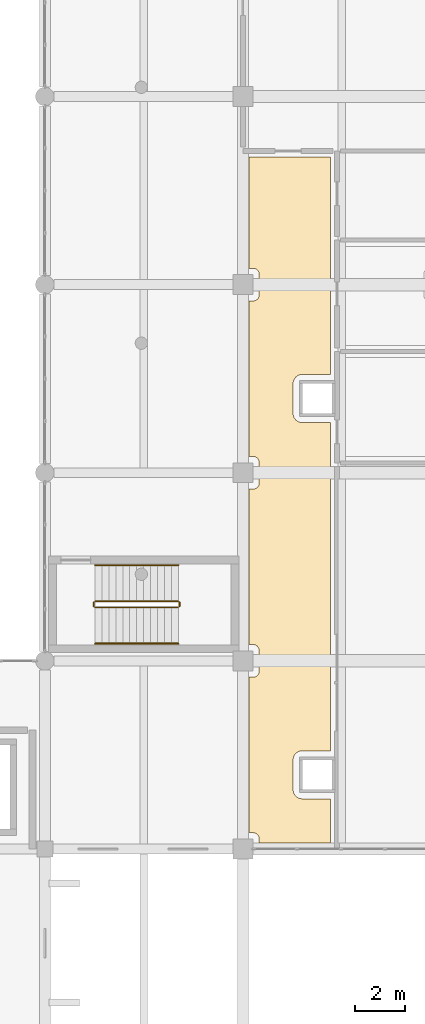
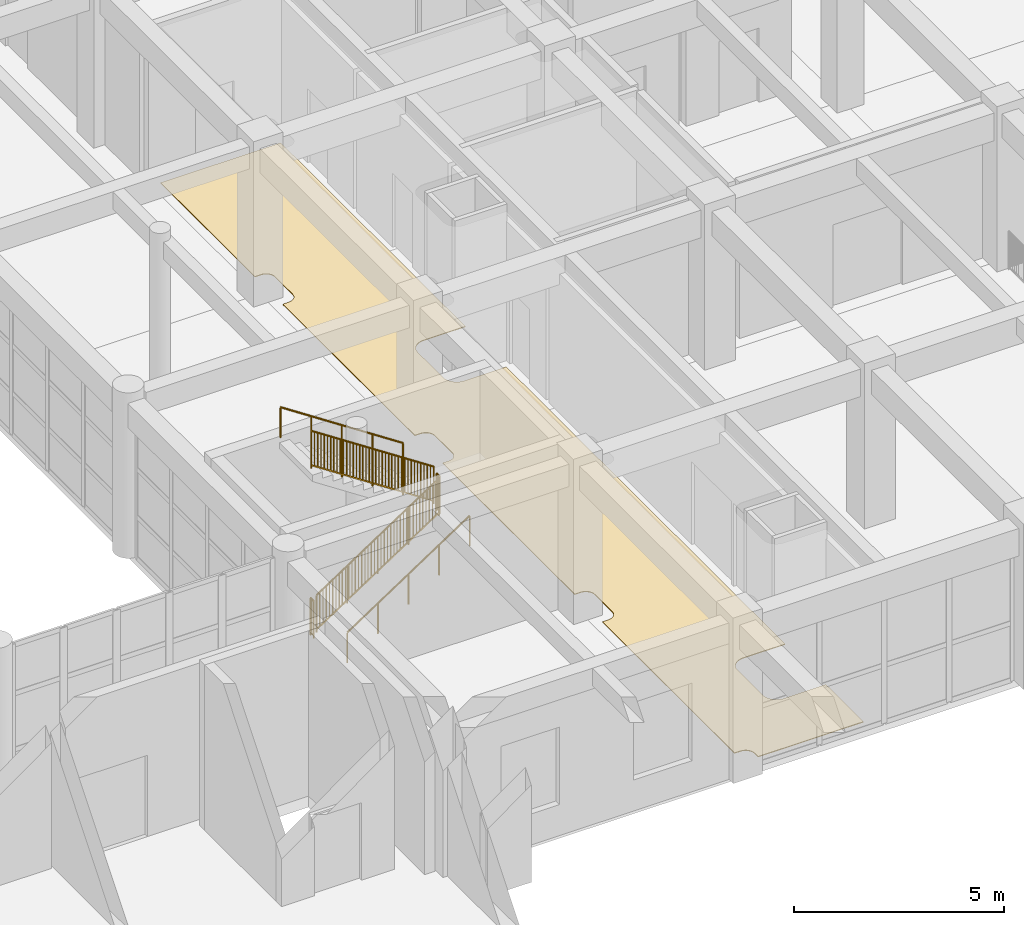
# One storey, part 89 of 101: 6 railings, 1 covering.
"""IFC4 building model written with IfcOpenShell, lengths in metres."""

from ifc_helpers import new_model, si_unit, direction, frame, origin, origin_2d, place, context, subcontext, project, spatial, polyline, rectangle, circle, outline, extrude, material, layer, layer_set, type_object, element, save


model = new_model("IFC4")

# Units and contexts
model_context = context("Model", 3, precision=1e-05, world=origin(), true_north=direction((0.0, 1.0)))
body_context = subcontext(model_context, "Body", "Model", "MODEL_VIEW")
ifc_project = project(units=[si_unit("LENGTHUNIT", "METRE"), si_unit("AREAUNIT", "SQUARE_METRE"), si_unit("VOLUMEUNIT", "CUBIC_METRE"), si_unit("PLANEANGLEUNIT", "RADIAN"), si_unit("MASSUNIT", "GRAM", prefix="KILO")], contexts=[model_context])

# Site, building, storey
site_placement = place(None, origin())
site = spatial("IfcSite", under=ifc_project, at=site_placement, CompositionType="ELEMENT")
building_placement = place(site_placement, origin())
building = spatial("IfcBuilding", under=site, at=building_placement, Name="Zantavel Square City Hall", CompositionType="ELEMENT")
storey_placement = place(building_placement, frame((0.0, 0.0, 5.39990234375)))
storey = spatial("IfcBuildingStorey", under=building, at=storey_placement, Name="L02", CompositionType="ELEMENT", Elevation=5.39990234375)

# Railings
ifc_material_1 = material(Name="Steel ASTM A500 Grade B", Category="steel")
railing_type_1 = type_object("IfcRailingType", Name="Atrium & Gallery Steel Guard Railing 1100mm", PredefinedType="GUARDRAIL", material=ifc_material_1)
railing_1_placement = place(storey_placement, frame((50.030029296875, 40.159912109375, 0.184814453125)))
element("IfcRailing", 1, at=railing_1_placement, inside=storey, type_object=railing_type_1, Name="L02 ST3 stair guard 1", PredefinedType="GUARDRAIL", context=body_context, shape_type="SweptSolid", body=[
    extrude(circle(Radius=0.02392578125, at=origin_2d()), frame((0.0, 0.0, 1.076171875), z_axis=(0.834858096282, 0.0, 0.550465220583), x_axis=(0.0, 1.0, 0.0)), (0.0, 0.0, 1.0), 4.0244140625),
    extrude(rectangle(XDim=0.031982421875, YDim=0.031982421875, at=origin_2d()), frame((0.0, 0.0, 0.080078125), z_axis=(0.834858096282, 0.0, 0.550465220583), x_axis=(0.0, 1.0, 0.0)), (0.0, 0.0, 1.0), 4.0244140625),
    extrude(rectangle(XDim=0.02197265625, YDim=0.02197265625, at=origin_2d()), frame((0.08837890625, 0.0, 0.13818359375)), (0.0, 0.0, 1.0), 0.971923828125),
    extrude(rectangle(XDim=0.02197265625, YDim=0.02197265625, at=origin_2d()), frame((0.1767578125, 0.0, 0.196533203125)), (0.0, 0.0, 1.0), 0.971923828125),
    extrude(rectangle(XDim=0.02197265625, YDim=0.02197265625, at=origin_2d()), frame((0.26513671875, 0.0, 0.2548828125)), (0.0, 0.0, 1.0), 0.971923828125),
    extrude(rectangle(XDim=0.02197265625, YDim=0.02197265625, at=origin_2d()), frame((0.353759765625, 0.0, 0.313232421875)), (0.0, 0.0, 1.0), 0.971923828125),
    extrude(rectangle(XDim=0.02197265625, YDim=0.02197265625, at=origin_2d()), frame((0.442138671875, 0.0, 0.37158203125)), (0.0, 0.0, 1.0), 0.971923828125),
    extrude(rectangle(XDim=0.02197265625, YDim=0.02197265625, at=origin_2d()), frame((0.530517578125, 0.0, 0.4296875)), (0.0, 0.0, 1.0), 0.971923828125),
    extrude(rectangle(XDim=0.02197265625, YDim=0.02197265625, at=origin_2d()), frame((0.618896484375, 0.0, 0.488037109375)), (0.0, 0.0, 1.0), 0.971923828125),
    extrude(rectangle(XDim=0.02197265625, YDim=0.02197265625, at=origin_2d()), frame((0.707275390625, 0.0, 0.54638671875)), (0.0, 0.0, 1.0), 0.971923828125),
    extrude(rectangle(XDim=0.02197265625, YDim=0.02197265625, at=origin_2d()), frame((0.795654296875, 0.0, 0.604736328125)), (0.0, 0.0, 1.0), 0.971923828125),
    extrude(rectangle(XDim=0.02197265625, YDim=0.02197265625, at=origin_2d()), frame((0.88427734375, 0.0, 0.6630859375)), (0.0, 0.0, 1.0), 0.971923828125),
    extrude(rectangle(XDim=0.02197265625, YDim=0.02197265625, at=origin_2d()), frame((0.97265625, 0.0, 0.72119140625)), (0.0, 0.0, 1.0), 0.971923828125),
    extrude(rectangle(XDim=0.02197265625, YDim=0.02197265625, at=origin_2d()), frame((1.06103515625, 0.0, 0.779541015625)), (0.0, 0.0, 1.0), 0.971923828125),
    extrude(rectangle(XDim=0.02197265625, YDim=0.02197265625, at=origin_2d()), frame((1.1494140625, 0.0, 0.837890625)), (0.0, 0.0, 1.0), 0.971923828125),
    extrude(rectangle(XDim=0.02197265625, YDim=0.02197265625, at=origin_2d()), frame((1.23779296875, 0.0, 0.896240234375)), (0.0, 0.0, 1.0), 0.971923828125),
    extrude(rectangle(XDim=0.02197265625, YDim=0.02197265625, at=origin_2d()), frame((1.326171875, 0.0, 0.95458984375)), (0.0, 0.0, 1.0), 0.971923828125),
    extrude(rectangle(XDim=0.02197265625, YDim=0.02197265625, at=origin_2d()), frame((1.414794921875, 0.0, 1.0126953125)), (0.0, 0.0, 1.0), 0.971923828125),
    extrude(rectangle(XDim=0.02197265625, YDim=0.02197265625, at=origin_2d()), frame((1.503173828125, 0.0, 1.071044921875)), (0.0, 0.0, 1.0), 0.971923828125),
    extrude(rectangle(XDim=0.02197265625, YDim=0.02197265625, at=origin_2d()), frame((1.591552734375, 0.0, 1.12939453125)), (0.0, 0.0, 1.0), 0.971923828125),
    extrude(rectangle(XDim=0.02197265625, YDim=0.02197265625, at=origin_2d()), frame((1.768310546875, 0.0, 1.245849609375)), (0.0, 0.0, 1.0), 0.971923828125),
    extrude(rectangle(XDim=0.02197265625, YDim=0.02197265625, at=origin_2d()), frame((1.856689453125, 0.0, 1.30419921875)), (0.0, 0.0, 1.0), 0.971923828125),
    extrude(rectangle(XDim=0.02197265625, YDim=0.02197265625, at=origin_2d()), frame((1.945068359375, 0.0, 1.362548828125)), (0.0, 0.0, 1.0), 0.971923828125),
    extrude(rectangle(XDim=0.02197265625, YDim=0.02197265625, at=origin_2d()), frame((2.03369140625, 0.0, 1.4208984375)), (0.0, 0.0, 1.0), 0.971923828125),
    extrude(rectangle(XDim=0.02197265625, YDim=0.02197265625, at=origin_2d()), frame((2.1220703125, 0.0, 1.479248046875)), (0.0, 0.0, 1.0), 0.971923828125),
    extrude(rectangle(XDim=0.02197265625, YDim=0.02197265625, at=origin_2d()), frame((2.21044921875, 0.0, 1.537353515625)), (0.0, 0.0, 1.0), 0.971923828125),
    extrude(rectangle(XDim=0.02197265625, YDim=0.02197265625, at=origin_2d()), frame((2.298828125, 0.0, 1.595703125)), (0.0, 0.0, 1.0), 0.971923828125),
    extrude(rectangle(XDim=0.02197265625, YDim=0.02197265625, at=origin_2d()), frame((2.38720703125, 0.0, 1.654052734375)), (0.0, 0.0, 1.0), 0.971923828125),
    extrude(rectangle(XDim=0.02197265625, YDim=0.02197265625, at=origin_2d()), frame((2.4755859375, 0.0, 1.71240234375)), (0.0, 0.0, 1.0), 0.971923828125),
    extrude(rectangle(XDim=0.02197265625, YDim=0.02197265625, at=origin_2d()), frame((2.564208984375, 0.0, 1.770751953125)), (0.0, 0.0, 1.0), 0.971923828125),
    extrude(rectangle(XDim=0.02197265625, YDim=0.02197265625, at=origin_2d()), frame((2.652587890625, 0.0, 1.828857421875)), (0.0, 0.0, 1.0), 0.971923828125),
    extrude(rectangle(XDim=0.02197265625, YDim=0.02197265625, at=origin_2d()), frame((2.740966796875, 0.0, 1.88720703125)), (0.0, 0.0, 1.0), 0.971923828125),
    extrude(rectangle(XDim=0.02197265625, YDim=0.02197265625, at=origin_2d()), frame((2.829345703125, 0.0, 1.945556640625)), (0.0, 0.0, 1.0), 0.971923828125),
    extrude(rectangle(XDim=0.02197265625, YDim=0.02197265625, at=origin_2d()), frame((2.917724609375, 0.0, 2.00390625)), (0.0, 0.0, 1.0), 0.971923828125),
    extrude(rectangle(XDim=0.02197265625, YDim=0.02197265625, at=origin_2d()), frame((3.006103515625, 0.0, 2.062255859375)), (0.0, 0.0, 1.0), 0.971923828125),
    extrude(rectangle(XDim=0.02197265625, YDim=0.02197265625, at=origin_2d()), frame((3.0947265625, 0.0, 2.120361328125)), (0.0, 0.0, 1.0), 0.971923828125),
    extrude(rectangle(XDim=0.02197265625, YDim=0.02197265625, at=origin_2d()), frame((3.18310546875, 0.0, 2.1787109375)), (0.0, 0.0, 1.0), 0.971923828125),
    extrude(rectangle(XDim=0.02197265625, YDim=0.02197265625, at=origin_2d()), frame((3.271484375, 0.0, 2.237060546875)), (0.0, 0.0, 1.0), 0.971923828125),
    extrude(circle(Radius=0.02099609375, at=origin_2d()), origin(), (0.0, 0.0, 1.0), 1.052001953125),
    extrude(circle(Radius=0.02099609375, at=origin_2d()), frame((0.83984375, 0.0, 0.5537109375)), (0.0, 0.0, 1.0), 1.052001953125),
    extrude(circle(Radius=0.02099609375, at=origin_2d()), frame((1.679931640625, 0.0, 1.107666015625)), (0.0, 0.0, 1.0), 1.052001953125),
    extrude(circle(Radius=0.02099609375, at=origin_2d()), frame((2.52001953125, 0.0, 1.66162109375)), (0.0, 0.0, 1.0), 1.052001953125),
    extrude(circle(Radius=0.02099609375, at=origin_2d()), frame((3.35986328125, 0.0, 2.21533203125)), (0.0, 0.0, 1.0), 1.052001953125),
])
railing_2_placement = place(storey_placement, frame((53.43994140625, 40.2099609375, 2.400146484375)))
element("IfcRailing", 2, at=railing_2_placement, inside=storey, type_object=railing_type_1, Name="L02 ST3 stair guard 2", PredefinedType="GUARDRAIL", context=body_context, shape_type="SweptSolid", body=[
    extrude(circle(Radius=0.02392578125, at=origin_2d()), frame((0.0, 0.0, 1.076171875), z_axis=(0.0, 1.0, 0.0), x_axis=(-1.0, 0.0, 0.0)), (0.0, 0.0, 1.0), 0.150146484375),
    extrude(rectangle(XDim=0.031982421875, YDim=0.031982421875, at=origin_2d()), frame((0.0, 0.0, 0.080078125), z_axis=(0.0, 1.0, 0.0), x_axis=(-1.0, 0.0, 0.0)), (0.0, 0.0, 1.0), 0.150146484375),
    extrude(rectangle(XDim=0.02197265625, YDim=0.02197265625, at=origin_2d()), frame((0.0, 0.0751953125, 0.080078125)), (0.0, 0.0, 1.0), 0.971923828125),
    extrude(circle(Radius=0.02099609375, at=origin_2d()), origin(), (0.0, 0.0, 1.0), 1.052001953125),
    extrude(circle(Radius=0.02099609375, at=origin_2d()), frame((0.0, 0.150146484375, 0.0)), (0.0, 0.0, 1.0), 1.052001953125),
])
railing_3_placement = place(storey_placement, frame((53.389892578125, 40.409912109375, 2.584716796875)))
element("IfcRailing", 3, at=railing_3_placement, inside=storey, type_object=railing_type_1, Name="L02 ST3 stair guard 3", PredefinedType="GUARDRAIL", context=body_context, shape_type="SweptSolid", body=[
    extrude(circle(Radius=0.02392578125, at=origin_2d()), frame((0.0, 0.0, 1.076171875), z_axis=(-0.834858096282, 0.0, 0.550465220583), x_axis=(0.0, -1.0, 0.0)), (0.0, 0.0, 1.0), 4.0244140625),
    extrude(rectangle(XDim=0.031982421875, YDim=0.031982421875, at=origin_2d()), frame((0.0, 0.0, 0.080078125), z_axis=(-0.834858096282, 0.0, 0.550465220583), x_axis=(0.0, -1.0, 0.0)), (0.0, 0.0, 1.0), 4.0244140625),
    extrude(rectangle(XDim=0.02197265625, YDim=0.02197265625, at=origin_2d()), frame((-0.08837890625, 0.0, 0.13818359375)), (0.0, 0.0, 1.0), 0.971923828125),
    extrude(rectangle(XDim=0.02197265625, YDim=0.02197265625, at=origin_2d()), frame((-0.1767578125, 0.0, 0.196533203125)), (0.0, 0.0, 1.0), 0.971923828125),
    extrude(rectangle(XDim=0.02197265625, YDim=0.02197265625, at=origin_2d()), frame((-0.26513671875, 0.0, 0.2548828125)), (0.0, 0.0, 1.0), 0.971923828125),
    extrude(rectangle(XDim=0.02197265625, YDim=0.02197265625, at=origin_2d()), frame((-0.353759765625, 0.0, 0.313232421875)), (0.0, 0.0, 1.0), 0.971923828125),
    extrude(rectangle(XDim=0.02197265625, YDim=0.02197265625, at=origin_2d()), frame((-0.442138671875, 0.0, 0.37158203125)), (0.0, 0.0, 1.0), 0.971923828125),
    extrude(rectangle(XDim=0.02197265625, YDim=0.02197265625, at=origin_2d()), frame((-0.530517578125, 0.0, 0.4296875)), (0.0, 0.0, 1.0), 0.971923828125),
    extrude(rectangle(XDim=0.02197265625, YDim=0.02197265625, at=origin_2d()), frame((-0.618896484375, 0.0, 0.488037109375)), (0.0, 0.0, 1.0), 0.971923828125),
    extrude(rectangle(XDim=0.02197265625, YDim=0.02197265625, at=origin_2d()), frame((-0.707275390625, 0.0, 0.54638671875)), (0.0, 0.0, 1.0), 0.971923828125),
    extrude(rectangle(XDim=0.02197265625, YDim=0.02197265625, at=origin_2d()), frame((-0.795654296875, 0.0, 0.604736328125)), (0.0, 0.0, 1.0), 0.971923828125),
    extrude(rectangle(XDim=0.02197265625, YDim=0.02197265625, at=origin_2d()), frame((-0.88427734375, 0.0, 0.6630859375)), (0.0, 0.0, 1.0), 0.971923828125),
    extrude(rectangle(XDim=0.02197265625, YDim=0.02197265625, at=origin_2d()), frame((-0.97265625, 0.0, 0.72119140625)), (0.0, 0.0, 1.0), 0.971923828125),
    extrude(rectangle(XDim=0.02197265625, YDim=0.02197265625, at=origin_2d()), frame((-1.06103515625, 0.0, 0.779541015625)), (0.0, 0.0, 1.0), 0.971923828125),
    extrude(rectangle(XDim=0.02197265625, YDim=0.02197265625, at=origin_2d()), frame((-1.1494140625, 0.0, 0.837890625)), (0.0, 0.0, 1.0), 0.971923828125),
    extrude(rectangle(XDim=0.02197265625, YDim=0.02197265625, at=origin_2d()), frame((-1.23779296875, 0.0, 0.896240234375)), (0.0, 0.0, 1.0), 0.971923828125),
    extrude(rectangle(XDim=0.02197265625, YDim=0.02197265625, at=origin_2d()), frame((-1.326171875, 0.0, 0.95458984375)), (0.0, 0.0, 1.0), 0.971923828125),
    extrude(rectangle(XDim=0.02197265625, YDim=0.02197265625, at=origin_2d()), frame((-1.414794921875, 0.0, 1.0126953125)), (0.0, 0.0, 1.0), 0.971923828125),
    extrude(rectangle(XDim=0.02197265625, YDim=0.02197265625, at=origin_2d()), frame((-1.503173828125, 0.0, 1.071044921875)), (0.0, 0.0, 1.0), 0.971923828125),
    extrude(rectangle(XDim=0.02197265625, YDim=0.02197265625, at=origin_2d()), frame((-1.591552734375, 0.0, 1.12939453125)), (0.0, 0.0, 1.0), 0.971923828125),
    extrude(rectangle(XDim=0.02197265625, YDim=0.02197265625, at=origin_2d()), frame((-1.768310546875, 0.0, 1.245849609375)), (0.0, 0.0, 1.0), 0.971923828125),
    extrude(rectangle(XDim=0.02197265625, YDim=0.02197265625, at=origin_2d()), frame((-1.856689453125, 0.0, 1.30419921875)), (0.0, 0.0, 1.0), 0.971923828125),
    extrude(rectangle(XDim=0.02197265625, YDim=0.02197265625, at=origin_2d()), frame((-1.945068359375, 0.0, 1.362548828125)), (0.0, 0.0, 1.0), 0.971923828125),
    extrude(rectangle(XDim=0.02197265625, YDim=0.02197265625, at=origin_2d()), frame((-2.03369140625, 0.0, 1.4208984375)), (0.0, 0.0, 1.0), 0.971923828125),
    extrude(rectangle(XDim=0.02197265625, YDim=0.02197265625, at=origin_2d()), frame((-2.1220703125, 0.0, 1.479248046875)), (0.0, 0.0, 1.0), 0.971923828125),
    extrude(rectangle(XDim=0.02197265625, YDim=0.02197265625, at=origin_2d()), frame((-2.21044921875, 0.0, 1.537353515625)), (0.0, 0.0, 1.0), 0.971923828125),
    extrude(rectangle(XDim=0.02197265625, YDim=0.02197265625, at=origin_2d()), frame((-2.298828125, 0.0, 1.595703125)), (0.0, 0.0, 1.0), 0.971923828125),
    extrude(rectangle(XDim=0.02197265625, YDim=0.02197265625, at=origin_2d()), frame((-2.38720703125, 0.0, 1.654052734375)), (0.0, 0.0, 1.0), 0.971923828125),
    extrude(rectangle(XDim=0.02197265625, YDim=0.02197265625, at=origin_2d()), frame((-2.4755859375, 0.0, 1.71240234375)), (0.0, 0.0, 1.0), 0.971923828125),
    extrude(rectangle(XDim=0.02197265625, YDim=0.02197265625, at=origin_2d()), frame((-2.564208984375, 0.0, 1.770751953125)), (0.0, 0.0, 1.0), 0.971923828125),
    extrude(rectangle(XDim=0.02197265625, YDim=0.02197265625, at=origin_2d()), frame((-2.652587890625, 0.0, 1.828857421875)), (0.0, 0.0, 1.0), 0.971923828125),
    extrude(rectangle(XDim=0.02197265625, YDim=0.02197265625, at=origin_2d()), frame((-2.740966796875, 0.0, 1.88720703125)), (0.0, 0.0, 1.0), 0.971923828125),
    extrude(rectangle(XDim=0.02197265625, YDim=0.02197265625, at=origin_2d()), frame((-2.829345703125, 0.0, 1.945556640625)), (0.0, 0.0, 1.0), 0.971923828125),
    extrude(rectangle(XDim=0.02197265625, YDim=0.02197265625, at=origin_2d()), frame((-2.917724609375, 0.0, 2.00390625)), (0.0, 0.0, 1.0), 0.971923828125),
    extrude(rectangle(XDim=0.02197265625, YDim=0.02197265625, at=origin_2d()), frame((-3.006103515625, 0.0, 2.062255859375)), (0.0, 0.0, 1.0), 0.971923828125),
    extrude(rectangle(XDim=0.02197265625, YDim=0.02197265625, at=origin_2d()), frame((-3.0947265625, 0.0, 2.120361328125)), (0.0, 0.0, 1.0), 0.971923828125),
    extrude(rectangle(XDim=0.02197265625, YDim=0.02197265625, at=origin_2d()), frame((-3.18310546875, 0.0, 2.1787109375)), (0.0, 0.0, 1.0), 0.971923828125),
    extrude(rectangle(XDim=0.02197265625, YDim=0.02197265625, at=origin_2d()), frame((-3.271484375, 0.0, 2.237060546875)), (0.0, 0.0, 1.0), 0.971923828125),
    extrude(circle(Radius=0.02099609375, at=origin_2d()), origin(), (0.0, 0.0, 1.0), 1.052001953125),
    extrude(circle(Radius=0.02099609375, at=origin_2d()), frame((-0.83984375, 0.0, 0.5537109375)), (0.0, 0.0, 1.0), 1.052001953125),
    extrude(circle(Radius=0.02099609375, at=origin_2d()), frame((-1.679931640625, 0.0, 1.107666015625)), (0.0, 0.0, 1.0), 1.052001953125),
    extrude(circle(Radius=0.02099609375, at=origin_2d()), frame((-2.52001953125, 0.0, 1.66162109375)), (0.0, 0.0, 1.0), 1.052001953125),
    extrude(circle(Radius=0.02099609375, at=origin_2d()), frame((-3.35986328125, 0.0, 2.21533203125)), (0.0, 0.0, 1.0), 1.052001953125),
])
railing_4_placement = place(storey_placement, frame((49.97998046875, 40.2099609375, 0.0)))
element("IfcRailing", 4, at=railing_4_placement, inside=storey, type_object=railing_type_1, Name="L02 ST3 stair guard 4", PredefinedType="GUARDRAIL", context=body_context, shape_type="SweptSolid", body=[
    extrude(circle(Radius=0.02392578125, at=origin_2d()), frame((0.0, 0.0, 1.076171875), z_axis=(0.0, 1.0, 0.0), x_axis=(-1.0, 0.0, 0.0)), (0.0, 0.0, 1.0), 0.150146484375),
    extrude(rectangle(XDim=0.031982421875, YDim=0.031982421875, at=origin_2d()), frame((0.0, 0.0, 0.080078125), z_axis=(0.0, 1.0, 0.0), x_axis=(-1.0, 0.0, 0.0)), (0.0, 0.0, 1.0), 0.150146484375),
    extrude(rectangle(XDim=0.02197265625, YDim=0.02197265625, at=origin_2d()), frame((0.0, 0.0751953125, 0.080078125)), (0.0, 0.0, 1.0), 0.971923828125),
    extrude(circle(Radius=0.02099609375, at=origin_2d()), origin(), (0.0, 0.0, 1.0), 1.052001953125),
    extrude(circle(Radius=0.02099609375, at=origin_2d()), frame((0.0, 0.150146484375, 0.0)), (0.0, 0.0, 1.0), 1.052001953125),
])

# Covering
ifc_material_2 = material(Name="Terrazzo stone finish", Category="masonry")
ifc_layer = layer(ifc_material_2, 0.02001953125, Name="Terrazzo stone finish")
ifc_layer_set = layer_set([ifc_layer], Name="Terrazzo stone finish")
covering_type = type_object("IfcCoveringType", Name="Honed Cantera-Terrazzo Civic Flooring 20mm", PredefinedType="FLOORING", material=ifc_layer_set)
covering_placement = place(storey_placement, origin())
element("IfcCovering", 5, at=covering_placement, inside=storey, type_object=covering_type, Name="L02 L02 South-West Gallery Bypass Corridor Terrazzo Flooring", PredefinedType="FLOORING", context=body_context, shape_type="SweptSolid", body=[
    extrude(outline(polyline([(56.65869140625, 30.83447265625), (56.6552734375, 30.85888671875), (56.649169921875, 30.882568359375), (56.64111328125, 30.90576171875), (56.630615234375, 30.927734375), (56.617919921875, 30.948974609375), (56.603271484375, 30.968505859375), (56.5869140625, 30.98681640625), (56.568603515625, 31.00341796875), (56.548828125, 31.017822265625), (56.52783203125, 31.030517578125), (56.505615234375, 31.041015625), (56.482666015625, 31.04931640625), (56.458740234375, 31.05517578125), (56.4345703125, 31.058837890625), (56.409912109375, 31.06005859375), (56.25, 31.06005859375), (56.25, 37.340087890625), (56.409912109375, 37.340087890625), (56.4345703125, 37.34130859375), (56.458740234375, 37.3447265625), (56.482666015625, 37.350830078125), (56.505615234375, 37.35888671875), (56.52783203125, 37.369384765625), (56.548828125, 37.382080078125), (56.568603515625, 37.396728515625), (56.5869140625, 37.4130859375), (56.603271484375, 37.431396484375), (56.617919921875, 37.451171875), (56.630615234375, 37.47216796875), (56.64111328125, 37.494384765625), (56.649169921875, 37.517333984375), (56.6552734375, 37.541259765625), (56.65869140625, 37.5654296875), (56.659912109375, 37.590087890625), (56.659912109375, 38.409912109375), (56.65869140625, 38.4345703125), (56.6552734375, 38.458740234375), (56.649169921875, 38.482666015625), (56.64111328125, 38.505615234375), (56.630615234375, 38.52783203125), (56.617919921875, 38.548828125), (56.603271484375, 38.568603515625), (56.5869140625, 38.5869140625), (56.568603515625, 38.603271484375), (56.548828125, 38.617919921875), (56.52783203125, 38.630615234375), (56.505615234375, 38.64111328125), (56.482666015625, 38.649169921875), (56.458740234375, 38.6552734375), (56.4345703125, 38.65869140625), (56.409912109375, 38.659912109375), (56.25, 38.659912109375), (56.25, 44.93994140625), (56.409912109375, 44.93994140625), (56.4345703125, 44.941162109375), (56.458740234375, 44.94482421875), (56.482666015625, 44.95068359375), (56.505615234375, 44.958984375), (56.52783203125, 44.969482421875), (56.548828125, 44.982177734375), (56.568603515625, 44.99658203125), (56.5869140625, 45.01318359375), (56.603271484375, 45.031494140625), (56.617919921875, 45.051025390625), (56.630615234375, 45.072265625), (56.64111328125, 45.09423828125), (56.649169921875, 45.117431640625), (56.6552734375, 45.14111328125), (56.65869140625, 45.16552734375), (56.659912109375, 45.18994140625), (56.659912109375, 46.010009765625), (56.65869140625, 46.034423828125), (56.6552734375, 46.058837890625), (56.649169921875, 46.08251953125), (56.64111328125, 46.105712890625), (56.630615234375, 46.127685546875), (56.617919921875, 46.14892578125), (56.603271484375, 46.168701171875), (56.5869140625, 46.186767578125), (56.568603515625, 46.203369140625), (56.548828125, 46.218017578125), (56.52783203125, 46.23046875), (56.505615234375, 46.240966796875), (56.482666015625, 46.249267578125), (56.458740234375, 46.255126953125), (56.4345703125, 46.2587890625), (56.409912109375, 46.260009765625), (56.25, 46.260009765625), (56.25, 52.5400390625), (56.409912109375, 52.5400390625), (56.4345703125, 52.541259765625), (56.458740234375, 52.544921875), (56.482666015625, 52.55078125), (56.505615234375, 52.55908203125), (56.52783203125, 52.569580078125), (56.548828125, 52.58203125), (56.568603515625, 52.5966796875), (56.5869140625, 52.61328125), (56.603271484375, 52.63134765625), (56.617919921875, 52.651123046875), (56.630615234375, 52.672119140625), (56.64111328125, 52.6943359375), (56.649169921875, 52.71728515625), (56.6552734375, 52.7412109375), (56.65869140625, 52.765380859375), (56.659912109375, 52.7900390625), (56.659912109375, 53.610107421875), (56.65869140625, 53.634521484375), (56.6552734375, 53.65869140625), (56.649169921875, 53.6826171875), (56.64111328125, 53.705810546875), (56.630615234375, 53.727783203125), (56.617919921875, 53.748779296875), (56.603271484375, 53.7685546875), (56.5869140625, 53.786865234375), (56.568603515625, 53.80322265625), (56.548828125, 53.81787109375), (56.52783203125, 53.83056640625), (56.505615234375, 53.841064453125), (56.482666015625, 53.84912109375), (56.458740234375, 53.855224609375), (56.4345703125, 53.85888671875), (56.409912109375, 53.860107421875), (56.25, 53.860107421875), (56.25, 58.35009765625), (59.550048828125, 58.35009765625), (59.550048828125, 49.570068359375), (58.39990234375, 49.570068359375), (58.3876953125, 49.569580078125), (58.3759765625, 49.569091796875), (58.3515625, 49.566650390625), (58.33984375, 49.56494140625), (58.31591796875, 49.560302734375), (58.304443359375, 49.557373046875), (58.281005859375, 49.55029296875), (58.27001953125, 49.54638671875), (58.247314453125, 49.536865234375), (58.236572265625, 49.53173828125), (58.21484375, 49.520263671875), (58.204833984375, 49.51416015625), (58.184326171875, 49.50048828125), (58.1748046875, 49.49365234375), (58.156005859375, 49.47802734375), (58.147216796875, 49.47021484375), (58.1298828125, 49.45263671875), (58.1220703125, 49.444091796875), (58.1064453125, 49.425048828125), (58.099365234375, 49.41552734375), (58.085693359375, 49.395263671875), (58.07958984375, 49.385009765625), (58.068115234375, 49.363525390625), (58.06298828125, 49.352783203125), (58.0537109375, 49.330078125), (58.0498046875, 49.319091796875), (58.042724609375, 49.295654296875), (58.039794921875, 49.2841796875), (58.034912109375, 49.260009765625), (58.033203125, 49.248291015625), (58.031005859375, 49.22412109375), (58.0302734375, 49.21240234375), (58.030029296875, 49.199951171875), (58.030029296875, 48.0), (58.0302734375, 47.98779296875), (58.031005859375, 47.97607421875), (58.033203125, 47.95166015625), (58.034912109375, 47.93994140625), (58.039794921875, 47.915771484375), (58.042724609375, 47.904296875), (58.0498046875, 47.880859375), (58.0537109375, 47.869873046875), (58.06298828125, 47.84716796875), (58.068115234375, 47.83642578125), (58.07958984375, 47.81494140625), (58.085693359375, 47.8046875), (58.099365234375, 47.784423828125), (58.1064453125, 47.77490234375), (58.1220703125, 47.756103515625), (58.1298828125, 47.747314453125), (58.147216796875, 47.72998046875), (58.156005859375, 47.721923828125), (58.1748046875, 47.706298828125), (58.184326171875, 47.699462890625), (58.204833984375, 47.685791015625), (58.21484375, 47.6796875), (58.236572265625, 47.668212890625), (58.247314453125, 47.6630859375), (58.27001953125, 47.65380859375), (58.281005859375, 47.64990234375), (58.304443359375, 47.642578125), (58.31591796875, 47.639892578125), (58.33984375, 47.635009765625), (58.3515625, 47.63330078125), (58.3759765625, 47.630859375), (58.3876953125, 47.63037109375), (58.39990234375, 47.6298828125), (59.550048828125, 47.6298828125), (59.550048828125, 34.3701171875), (58.39990234375, 34.3701171875), (58.3876953125, 34.36962890625), (58.3759765625, 34.369140625), (58.3515625, 34.36669921875), (58.33984375, 34.364990234375), (58.31591796875, 34.360107421875), (58.304443359375, 34.357421875), (58.281005859375, 34.35009765625), (58.27001953125, 34.34619140625), (58.247314453125, 34.3369140625), (58.236572265625, 34.331787109375), (58.21484375, 34.3203125), (58.204833984375, 34.314208984375), (58.184326171875, 34.300537109375), (58.1748046875, 34.293701171875), (58.156005859375, 34.278076171875), (58.147216796875, 34.27001953125), (58.1298828125, 34.252685546875), (58.1220703125, 34.243896484375), (58.1064453125, 34.22509765625), (58.099365234375, 34.215576171875), (58.085693359375, 34.1953125), (58.07958984375, 34.18505859375), (58.068115234375, 34.16357421875), (58.06298828125, 34.15283203125), (58.0537109375, 34.130126953125), (58.0498046875, 34.119140625), (58.042724609375, 34.095703125), (58.039794921875, 34.084228515625), (58.034912109375, 34.06005859375), (58.033203125, 34.04833984375), (58.031005859375, 34.02392578125), (58.0302734375, 34.01220703125), (58.030029296875, 34.0), (58.030029296875, 32.800048828125), (58.0302734375, 32.78759765625), (58.031005859375, 32.77587890625), (58.033203125, 32.751708984375), (58.034912109375, 32.739990234375), (58.039794921875, 32.7158203125), (58.042724609375, 32.704345703125), (58.0498046875, 32.680908203125), (58.0537109375, 32.669921875), (58.06298828125, 32.647216796875), (58.068115234375, 32.636474609375), (58.07958984375, 32.614990234375), (58.085693359375, 32.604736328125), (58.099365234375, 32.58447265625), (58.1064453125, 32.574951171875), (58.1220703125, 32.555908203125), (58.1298828125, 32.54736328125), (58.147216796875, 32.52978515625), (58.156005859375, 32.52197265625), (58.1748046875, 32.50634765625), (58.184326171875, 32.49951171875), (58.204833984375, 32.48583984375), (58.21484375, 32.479736328125), (58.236572265625, 32.46826171875), (58.247314453125, 32.463134765625), (58.27001953125, 32.45361328125), (58.281005859375, 32.44970703125), (58.304443359375, 32.442626953125), (58.31591796875, 32.439697265625), (58.33984375, 32.43505859375), (58.3515625, 32.433349609375), (58.3759765625, 32.430908203125), (58.3876953125, 32.430419921875), (58.39990234375, 32.429931640625), (59.550048828125, 32.429931640625), (59.550048828125, 30.64990234375), (56.659912109375, 30.64990234375), (56.659912109375, 30.81005859375), (56.65869140625, 30.83447265625)])), origin(), (0.0, 0.0, 1.0), 0.02001953125),
])

# Railings
ifc_material_3 = material(Name="Stainless steel 316", Category="steel")
railing_type_2 = type_object("IfcRailingType", Name="Stair Stainless Steel Handrail 900mm", PredefinedType="HANDRAIL", material=ifc_material_3)
railing_5_placement = place(storey_placement, frame((50.030029296875, 38.699951171875, 0.184814453125)))
element("IfcRailing", 6, at=railing_5_placement, inside=storey, type_object=railing_type_2, Name="L02 ST3 stair handrail 1", PredefinedType="HANDRAIL", context=body_context, shape_type="SweptSolid", body=[
    extrude(circle(Radius=0.02392578125, at=origin_2d()), frame((0.0, 0.0, 0.8759765625), z_axis=(0.834858096282, 0.0, 0.550465220583), x_axis=(0.0, 1.0, 0.0)), (0.0, 0.0, 1.0), 4.0244140625),
    extrude(circle(Radius=0.02099609375, at=origin_2d()), origin(), (0.0, 0.0, 1.0), 0.851806640625),
    extrude(circle(Radius=0.02099609375, at=origin_2d()), frame((0.83984375, 0.0, 0.5537109375)), (0.0, 0.0, 1.0), 0.851806640625),
    extrude(circle(Radius=0.02099609375, at=origin_2d()), frame((1.679931640625, 0.0, 1.107666015625)), (0.0, 0.0, 1.0), 0.851806640625),
    extrude(circle(Radius=0.02099609375, at=origin_2d()), frame((2.52001953125, 0.0, 1.66162109375)), (0.0, 0.0, 1.0), 0.851806640625),
    extrude(circle(Radius=0.02099609375, at=origin_2d()), frame((3.35986328125, 0.0, 2.21533203125)), (0.0, 0.0, 1.0), 0.851806640625),
])
railing_6_placement = place(storey_placement, frame((53.389892578125, 41.8701171875, 2.584716796875)))
element("IfcRailing", 7, at=railing_6_placement, inside=storey, type_object=railing_type_2, Name="L02 ST3 stair handrail 2", PredefinedType="HANDRAIL", context=body_context, shape_type="SweptSolid", body=[
    extrude(circle(Radius=0.02392578125, at=origin_2d()), frame((0.0, 0.0, 0.8759765625), z_axis=(-0.834858096282, 0.0, 0.550465220583), x_axis=(0.0, -1.0, 0.0)), (0.0, 0.0, 1.0), 4.0244140625),
    extrude(circle(Radius=0.02099609375, at=origin_2d()), origin(), (0.0, 0.0, 1.0), 0.851806640625),
    extrude(circle(Radius=0.02099609375, at=origin_2d()), frame((-0.83984375, 0.0, 0.5537109375)), (0.0, 0.0, 1.0), 0.851806640625),
    extrude(circle(Radius=0.02099609375, at=origin_2d()), frame((-1.679931640625, 0.0, 1.107666015625)), (0.0, 0.0, 1.0), 0.851806640625),
    extrude(circle(Radius=0.02099609375, at=origin_2d()), frame((-2.52001953125, 0.0, 1.66162109375)), (0.0, 0.0, 1.0), 0.851806640625),
    extrude(circle(Radius=0.02099609375, at=origin_2d()), frame((-3.35986328125, 0.0, 2.21533203125)), (0.0, 0.0, 1.0), 0.851806640625),
])

save(model, "model.ifc")
